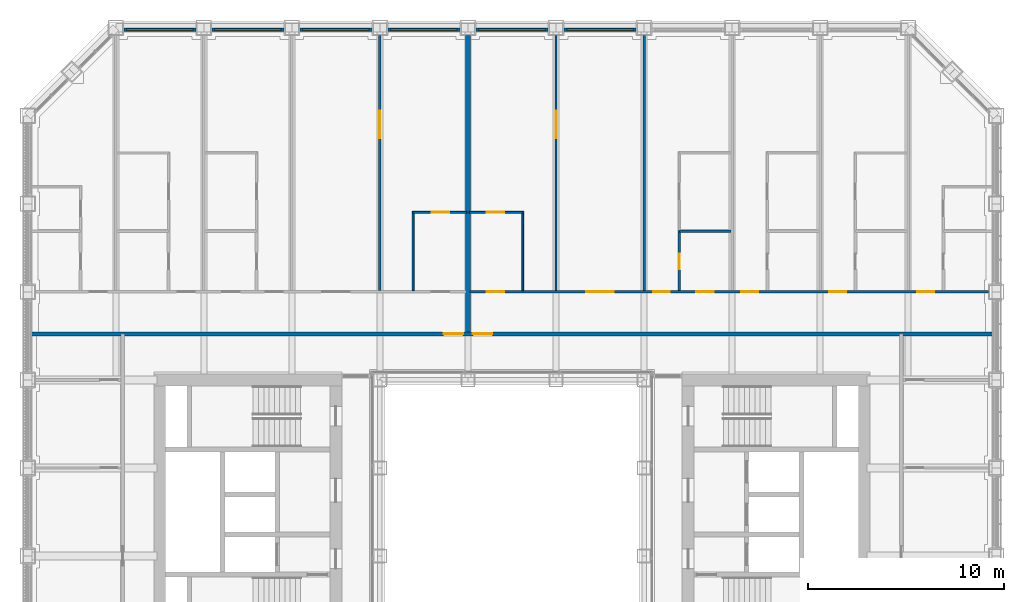
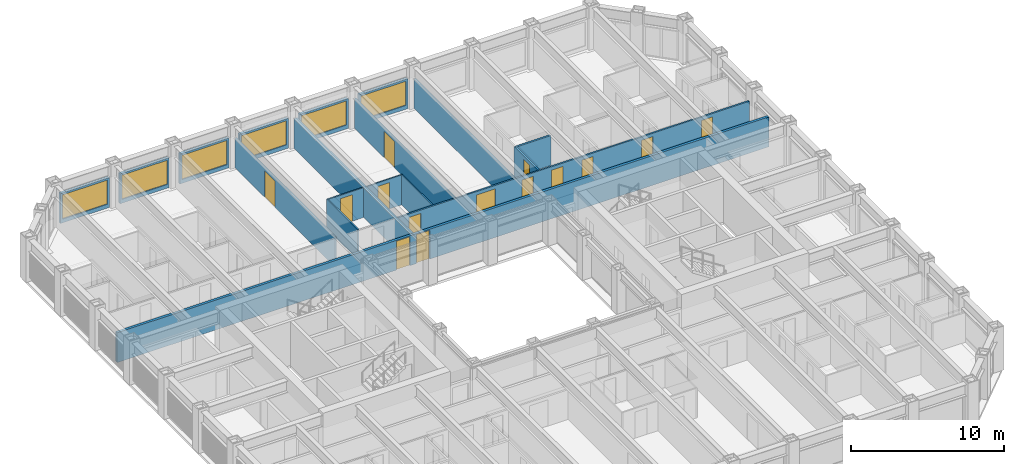
# One storey, part 14 of 21: 18 walls, 14 doors, 6 windows, 20 openings.
"""IFC4 building model written with IfcOpenShell, lengths in metres."""

from ifc_helpers import new_model, si_unit, direction, frame, frame_2d, origin, place, context, subcontext, project, spatial, rectangle, extrude, material, layer, layer_set, type_object, element, fill, save


model = new_model("IFC4")

# Units and contexts
model_context = context("Model", 3, precision=1e-05, world=origin(), true_north=direction((0.0, 1.0)))
body_context = subcontext(model_context, "Body", "Model", "MODEL_VIEW")
ifc_project = project(units=[si_unit("LENGTHUNIT", "METRE"), si_unit("AREAUNIT", "SQUARE_METRE"), si_unit("VOLUMEUNIT", "CUBIC_METRE"), si_unit("PLANEANGLEUNIT", "RADIAN"), si_unit("MASSUNIT", "GRAM", prefix="KILO")], contexts=[model_context])

# Site, building, storey
site_placement = place(None, origin())
site = spatial("IfcSite", under=ifc_project, at=site_placement, CompositionType="ELEMENT")
building_placement = place(site_placement, origin())
building = spatial("IfcBuilding", under=site, at=building_placement, Name="Msasa Ring Tower", CompositionType="ELEMENT")
storey_placement = place(building_placement, frame((0.0, 0.0, 86.0)))
storey = spatial("IfcBuildingStorey", under=building, at=storey_placement, Name="L22", CompositionType="ELEMENT", Elevation=86.0)

# Wall, opening, window
ifc_material_1 = material(Name="Terracotta rainscreen on blockwork", Category="masonry")
ifc_layer_1 = layer(ifc_material_1, 0.199951171875)
ifc_layer_set_1 = layer_set([ifc_layer_1], Name="FW1 TERRACOTTA-LINED INFILL BAY WALL 200")
wall_type_1 = type_object("IfcWallType", Name="FW1 TERRACOTTA-LINED INFILL BAY WALL 200", PredefinedType="SOLIDWALL", material=ifc_layer_set_1)
wall_1_placement = place(storey_placement, frame((-19.844970703125, 24.64990234375, 0.0), z_axis=(0.0, 0.0, 1.0), x_axis=(1.0, 0.0, 0.0)))
wall_1 = element("IfcWall", 1, at=wall_1_placement, inside=storey, type_object=wall_type_1, Name="Infill bay wall N L22 22", PredefinedType="SOLIDWALL", context=body_context, shape_type="SweptSolid", body=[
    extrude(rectangle(XDim=3.68994140625, YDim=0.199951171875, at=frame_2d((1.844970703125, 0.0))), origin(), (0.0, 0.0, 1.0), 2.37890625),
])
opening_1_placement = place(wall_1_placement, frame((0.14501953125, 0.0, 0.300048828125)))
opening_1 = element("IfcOpeningElement", 2, at=opening_1_placement, cuts=wall_1, Name="Opening WN1", PredefinedType="OPENING", context=body_context, shape_type="SweptSolid", body=[
    extrude(rectangle(XDim=3.39990234375, YDim=1.928955078125, at=frame_2d((1.699951171875, 0.96435546875))), frame((0.0, 0.10986328125, 0.0), z_axis=(0.0, -1.0, 0.0), x_axis=(1.0, 0.0, 0.0)), (0.0, 0.0, 1.0), 0.219970703125),
])
ifc_material_2 = material(Name="Aluminium frame with clear glass", Category="aluminium")
window_type = type_object("IfcWindowType", Name="WN1 RESIDENCE WINDOW 3400x1929", PartitioningType="SINGLE_PANEL", PredefinedType="WINDOW", material=ifc_material_2)
window_1_placement = place(opening_1_placement, origin())
window_1 = element("IfcWindow", 3, at=window_1_placement, inside=storey, type_object=window_type, Name="Window N L22 22", OverallHeight=1.928955078125, OverallWidth=3.39990234375, PartitioningType="SINGLE_PANEL", PredefinedType="WINDOW", context=body_context, shape_type="SweptSolid", body=[
    extrude(rectangle(XDim=3.39990234375, YDim=1.928955078125, at=frame_2d((1.699951171875, 0.96435546875))), frame((0.0, 0.030029296875, 0.0), z_axis=(0.0, -1.0, 0.0), x_axis=(1.0, 0.0, 0.0)), (0.0, 0.0, 1.0), 0.06005859375),
])
fill(opening_1, window_1)

wall_2_placement = place(storey_placement, frame((-15.344970703125, 24.64990234375, 0.0), z_axis=(0.0, 0.0, 1.0), x_axis=(1.0, 0.0, 0.0)))
wall_2 = element("IfcWall", 4, at=wall_2_placement, inside=storey, type_object=wall_type_1, Name="Infill bay wall N L22 23", PredefinedType="SOLIDWALL", context=body_context, shape_type="SweptSolid", body=[
    extrude(rectangle(XDim=3.68994140625, YDim=0.199951171875, at=frame_2d((1.844970703125, 0.0))), origin(), (0.0, 0.0, 1.0), 2.37890625),
])
opening_2_placement = place(wall_2_placement, frame((0.14501953125, 0.0, 0.300048828125)))
opening_2 = element("IfcOpeningElement", 5, at=opening_2_placement, cuts=wall_2, Name="Opening WN1", PredefinedType="OPENING", context=body_context, shape_type="SweptSolid", body=[
    extrude(rectangle(XDim=3.39990234375, YDim=1.928955078125, at=frame_2d((1.699951171875, 0.96435546875))), frame((0.0, 0.10986328125, 0.0), z_axis=(0.0, -1.0, 0.0), x_axis=(1.0, 0.0, 0.0)), (0.0, 0.0, 1.0), 0.219970703125),
])
window_2_placement = place(opening_2_placement, origin())
window_2 = element("IfcWindow", 6, at=window_2_placement, inside=storey, type_object=window_type, Name="Window N L22 23", OverallHeight=1.928955078125, OverallWidth=3.39990234375, PartitioningType="SINGLE_PANEL", PredefinedType="WINDOW", context=body_context, shape_type="SweptSolid", body=[
    extrude(rectangle(XDim=3.39990234375, YDim=1.928955078125, at=frame_2d((1.699951171875, 0.96435546875))), frame((0.0, 0.030029296875, 0.0), z_axis=(0.0, -1.0, 0.0), x_axis=(1.0, 0.0, 0.0)), (0.0, 0.0, 1.0), 0.06005859375),
])
fill(opening_2, window_2)

wall_3_placement = place(storey_placement, frame((-10.844970703125, 24.64990234375, 0.0), z_axis=(0.0, 0.0, 1.0), x_axis=(1.0, 0.0, 0.0)))
wall_3 = element("IfcWall", 7, at=wall_3_placement, inside=storey, type_object=wall_type_1, Name="Infill bay wall N L22 24", PredefinedType="SOLIDWALL", context=body_context, shape_type="SweptSolid", body=[
    extrude(rectangle(XDim=3.68994140625, YDim=0.199951171875, at=frame_2d((1.844970703125, 0.0))), origin(), (0.0, 0.0, 1.0), 2.37890625),
])
opening_3_placement = place(wall_3_placement, frame((0.14501953125, 0.0, 0.300048828125)))
opening_3 = element("IfcOpeningElement", 8, at=opening_3_placement, cuts=wall_3, Name="Opening WN1", PredefinedType="OPENING", context=body_context, shape_type="SweptSolid", body=[
    extrude(rectangle(XDim=3.39990234375, YDim=1.928955078125, at=frame_2d((1.699951171875, 0.96435546875))), frame((0.0, 0.10986328125, 0.0), z_axis=(0.0, -1.0, 0.0), x_axis=(1.0, 0.0, 0.0)), (0.0, 0.0, 1.0), 0.219970703125),
])
window_3_placement = place(opening_3_placement, origin())
window_3 = element("IfcWindow", 9, at=window_3_placement, inside=storey, type_object=window_type, Name="Window N L22 24", OverallHeight=1.928955078125, OverallWidth=3.39990234375, PartitioningType="SINGLE_PANEL", PredefinedType="WINDOW", context=body_context, shape_type="SweptSolid", body=[
    extrude(rectangle(XDim=3.39990234375, YDim=1.928955078125, at=frame_2d((1.699951171875, 0.96435546875))), frame((0.0, 0.030029296875, 0.0), z_axis=(0.0, -1.0, 0.0), x_axis=(1.0, 0.0, 0.0)), (0.0, 0.0, 1.0), 0.06005859375),
])
fill(opening_3, window_3)

wall_4_placement = place(storey_placement, frame((-6.344970703125, 24.64990234375, 0.0), z_axis=(0.0, 0.0, 1.0), x_axis=(1.0, 0.0, 0.0)))
wall_4 = element("IfcWall", 10, at=wall_4_placement, inside=storey, type_object=wall_type_1, Name="Infill bay wall N L22 25", PredefinedType="SOLIDWALL", context=body_context, shape_type="SweptSolid", body=[
    extrude(rectangle(XDim=3.68994140625, YDim=0.199951171875, at=frame_2d((1.844970703125, 0.0))), origin(), (0.0, 0.0, 1.0), 2.37890625),
])
opening_4_placement = place(wall_4_placement, frame((0.14501953125, 0.0, 0.300048828125)))
opening_4 = element("IfcOpeningElement", 11, at=opening_4_placement, cuts=wall_4, Name="Opening WN1", PredefinedType="OPENING", context=body_context, shape_type="SweptSolid", body=[
    extrude(rectangle(XDim=3.39990234375, YDim=1.928955078125, at=frame_2d((1.699951171875, 0.96435546875))), frame((0.0, 0.10986328125, 0.0), z_axis=(0.0, -1.0, 0.0), x_axis=(1.0, 0.0, 0.0)), (0.0, 0.0, 1.0), 0.219970703125),
])
window_4_placement = place(opening_4_placement, origin())
window_4 = element("IfcWindow", 12, at=window_4_placement, inside=storey, type_object=window_type, Name="Window N L22 25", OverallHeight=1.928955078125, OverallWidth=3.39990234375, PartitioningType="SINGLE_PANEL", PredefinedType="WINDOW", context=body_context, shape_type="SweptSolid", body=[
    extrude(rectangle(XDim=3.39990234375, YDim=1.928955078125, at=frame_2d((1.699951171875, 0.96435546875))), frame((0.0, 0.030029296875, 0.0), z_axis=(0.0, -1.0, 0.0), x_axis=(1.0, 0.0, 0.0)), (0.0, 0.0, 1.0), 0.06005859375),
])
fill(opening_4, window_4)

wall_5_placement = place(storey_placement, frame((-1.844970703125, 24.64990234375, 0.0), z_axis=(0.0, 0.0, 1.0), x_axis=(1.0, 0.0, 0.0)))
wall_5 = element("IfcWall", 13, at=wall_5_placement, inside=storey, type_object=wall_type_1, Name="Infill bay wall N L22 26", PredefinedType="SOLIDWALL", context=body_context, shape_type="SweptSolid", body=[
    extrude(rectangle(XDim=3.68994140625, YDim=0.199951171875, at=frame_2d((1.844970703125, 0.0))), origin(), (0.0, 0.0, 1.0), 2.37890625),
])
opening_5_placement = place(wall_5_placement, frame((0.14501953125, 0.0, 0.300048828125)))
opening_5 = element("IfcOpeningElement", 14, at=opening_5_placement, cuts=wall_5, Name="Opening WN1", PredefinedType="OPENING", context=body_context, shape_type="SweptSolid", body=[
    extrude(rectangle(XDim=3.39990234375, YDim=1.928955078125, at=frame_2d((1.699951171875, 0.96435546875))), frame((0.0, 0.10986328125, 0.0), z_axis=(0.0, -1.0, 0.0), x_axis=(1.0, 0.0, 0.0)), (0.0, 0.0, 1.0), 0.219970703125),
])
window_5_placement = place(opening_5_placement, origin())
window_5 = element("IfcWindow", 15, at=window_5_placement, inside=storey, type_object=window_type, Name="Window N L22 26", OverallHeight=1.928955078125, OverallWidth=3.39990234375, PartitioningType="SINGLE_PANEL", PredefinedType="WINDOW", context=body_context, shape_type="SweptSolid", body=[
    extrude(rectangle(XDim=3.39990234375, YDim=1.928955078125, at=frame_2d((1.699951171875, 0.96435546875))), frame((0.0, 0.030029296875, 0.0), z_axis=(0.0, -1.0, 0.0), x_axis=(1.0, 0.0, 0.0)), (0.0, 0.0, 1.0), 0.06005859375),
])
fill(opening_5, window_5)

wall_6_placement = place(storey_placement, frame((2.655029296875, 24.64990234375, 0.0), z_axis=(0.0, 0.0, 1.0), x_axis=(1.0, 0.0, 0.0)))
wall_6 = element("IfcWall", 16, at=wall_6_placement, inside=storey, type_object=wall_type_1, Name="Infill bay wall N L22 27", PredefinedType="SOLIDWALL", context=body_context, shape_type="SweptSolid", body=[
    extrude(rectangle(XDim=3.68994140625, YDim=0.199951171875, at=frame_2d((1.844970703125, 0.0))), origin(), (0.0, 0.0, 1.0), 2.37890625),
])
opening_6_placement = place(wall_6_placement, frame((0.14501953125, 0.0, 0.300048828125)))
opening_6 = element("IfcOpeningElement", 17, at=opening_6_placement, cuts=wall_6, Name="Opening WN1", PredefinedType="OPENING", context=body_context, shape_type="SweptSolid", body=[
    extrude(rectangle(XDim=3.39990234375, YDim=1.928955078125, at=frame_2d((1.699951171875, 0.96435546875))), frame((0.0, 0.10986328125, 0.0), z_axis=(0.0, -1.0, 0.0), x_axis=(1.0, 0.0, 0.0)), (0.0, 0.0, 1.0), 0.219970703125),
])
window_6_placement = place(opening_6_placement, origin())
window_6 = element("IfcWindow", 18, at=window_6_placement, inside=storey, type_object=window_type, Name="Window N L22 27", OverallHeight=1.928955078125, OverallWidth=3.39990234375, PartitioningType="SINGLE_PANEL", PredefinedType="WINDOW", context=body_context, shape_type="SweptSolid", body=[
    extrude(rectangle(XDim=3.39990234375, YDim=1.928955078125, at=frame_2d((1.699951171875, 0.96435546875))), frame((0.0, 0.030029296875, 0.0), z_axis=(0.0, -1.0, 0.0), x_axis=(1.0, 0.0, 0.0)), (0.0, 0.0, 1.0), 0.06005859375),
])
fill(opening_6, window_6)

# Wall, openings, doors
ifc_material_3 = material(Name="Concrete blockwork", Category="masonry")
ifc_layer_2 = layer(ifc_material_3, 0.199951171875)
ifc_layer_set_2 = layer_set([ifc_layer_2], Name="PT1 CORRIDOR WALL 200")
wall_type_2 = type_object("IfcWallType", Name="PT1 CORRIDOR WALL 200", PredefinedType="PARTITIONING", material=ifc_layer_set_2)
wall_7_placement = place(storey_placement, frame((-24.550048828125, 9.10009765625, 0.0), z_axis=(0.0, 0.0, 1.0), x_axis=(1.0, 0.0, 0.0)))
wall_7 = element("IfcWall", 19, at=wall_7_placement, inside=storey, type_object=wall_type_2, Name="Corridor wall L22-CORRN0", PredefinedType="PARTITIONING", context=body_context, shape_type="SweptSolid", body=[
    extrude(rectangle(XDim=49.10009765625, YDim=0.199951171875, at=frame_2d((24.550048828125, 0.0))), origin(), (0.0, 0.0, 1.0), 2.373291015625),
])
opening_7_placement = place(wall_7_placement, frame((22.550048828125, 0.0, 0.0)))
opening_7 = element("IfcOpeningElement", 20, at=opening_7_placement, cuts=wall_7, Name="Opening RF-033", PredefinedType="OPENING", context=body_context, shape_type="SweptSolid", body=[
    extrude(rectangle(XDim=1.0, YDim=2.300048828125, at=frame_2d((0.5, 1.14990234375))), frame((0.0, 0.10986328125, 0.0), z_axis=(0.0, -1.0, 0.0), x_axis=(1.0, 0.0, 0.0)), (0.0, 0.0, 1.0), 0.219970703125),
])
opening_8_placement = place(wall_7_placement, frame((21.050048828125, 0.0, 0.0)))
opening_8 = element("IfcOpeningElement", 21, at=opening_8_placement, cuts=wall_7, Name="Opening RF-032", PredefinedType="OPENING", context=body_context, shape_type="SweptSolid", body=[
    extrude(rectangle(XDim=1.0, YDim=2.300048828125, at=frame_2d((0.5, 1.14990234375))), frame((0.0, 0.10986328125, 0.0), z_axis=(0.0, -1.0, 0.0), x_axis=(1.0, 0.0, 0.0)), (0.0, 0.0, 1.0), 0.219970703125),
])
ifc_material_4 = material(Name="Timber door leaf in a steel frame", Category="steel")
door_type_1 = type_object("IfcDoorType", Name="D16 UPPER RESIDENCE ENTRANCE DOOR 1000x2300", OperationType="SINGLE_SWING_LEFT", PredefinedType="DOOR", material=ifc_material_4)
door_1_placement = place(opening_7_placement, origin())
door_1 = element("IfcDoor", 22, at=door_1_placement, inside=storey, type_object=door_type_1, Name="Door L22-VNE", OperationType="SINGLE_SWING_LEFT", OverallHeight=2.300048828125, OverallWidth=1.0, PredefinedType="DOOR", context=body_context, shape_type="SweptSolid", body=[
    extrude(rectangle(XDim=1.0, YDim=2.300048828125, at=frame_2d((0.5, 1.14990234375))), frame((0.0, 0.02490234375, 0.0), z_axis=(0.0, -1.0, 0.0), x_axis=(1.0, 0.0, 0.0)), (0.0, 0.0, 1.0), 0.050048828125),
])
fill(opening_7, door_1)
door_2_placement = place(opening_8_placement, origin())
door_2 = element("IfcDoor", 23, at=door_2_placement, inside=storey, type_object=door_type_1, Name="Door L22-VNW", OperationType="SINGLE_SWING_LEFT", OverallHeight=2.300048828125, OverallWidth=1.0, PredefinedType="DOOR", context=body_context, shape_type="SweptSolid", body=[
    extrude(rectangle(XDim=1.0, YDim=2.300048828125, at=frame_2d((0.5, 1.14990234375))), frame((0.0, 0.02490234375, 0.0), z_axis=(0.0, -1.0, 0.0), x_axis=(1.0, 0.0, 0.0)), (0.0, 0.0, 1.0), 0.050048828125),
])
fill(opening_8, door_2)

# Wall
ifc_material_5 = material(Name="Gypsum board on steel studs", Category="steel")
ifc_layer_3 = layer(ifc_material_5, 0.10009765625)
ifc_layer_set_3 = layer_set([ifc_layer_3], Name="PT2 STUD PARTITION 100")
wall_type_3 = type_object("IfcWallType", Name="PT2 STUD PARTITION 100", PredefinedType="PARTITIONING", material=ifc_layer_set_3)
wall_8_placement = place(storey_placement, frame((0.550048828125, 11.3125, 0.0), z_axis=(0.0, 0.0, 1.0), x_axis=(0.0, 1.0, 0.0)))
element("IfcWall", 24, at=wall_8_placement, inside=storey, type_object=wall_type_3, Name="Partition L22-VNEKX", PredefinedType="PARTITIONING", context=body_context, shape_type="SweptSolid", body=[
    extrude(rectangle(XDim=4.050048828125, YDim=0.10009765625, at=frame_2d((2.02490234375, 0.0))), origin(), (0.0, 0.0, 1.0), 2.373291015625),
])

# Wall, opening, door
wall_9_placement = place(storey_placement, frame((-2.1826171875, 15.3125, 0.0), z_axis=(0.0, 0.0, 1.0), x_axis=(1.0, 0.0, 0.0)))
wall_9 = element("IfcWall", 25, at=wall_9_placement, inside=storey, type_object=wall_type_3, Name="Partition L22-VNEKY", PredefinedType="PARTITIONING", context=body_context, shape_type="SweptSolid", body=[
    extrude(rectangle(XDim=2.732666015625, YDim=0.10009765625, at=frame_2d((1.3662109375, 0.0))), origin(), (0.0, 0.0, 1.0), 2.373291015625),
])
opening_9_placement = place(wall_9_placement, frame((0.882568359375, 0.0, 0.0)))
opening_9 = element("IfcOpeningElement", 26, at=opening_9_placement, cuts=wall_9, Name="Opening RF-011", PredefinedType="OPENING", context=body_context, shape_type="SweptSolid", body=[
    extrude(rectangle(XDim=0.89990234375, YDim=2.10009765625, at=frame_2d((0.449951171875, 1.050048828125))), frame((0.0, 0.06005859375, 0.0), z_axis=(0.0, -1.0, 0.0), x_axis=(1.0, 0.0, 0.0)), (0.0, 0.0, 1.0), 0.1201171875),
])
ifc_material_6 = material(Name="Timber door leaf in a steel frame", Category="steel")
door_type_2 = type_object("IfcDoorType", Name="D22 INTERNAL HALL DOOR 900x2100", OperationType="SINGLE_SWING_LEFT", PredefinedType="DOOR", material=ifc_material_6)
door_3_placement = place(opening_9_placement, origin())
door_3 = element("IfcDoor", 27, at=door_3_placement, inside=storey, type_object=door_type_2, Name="Door L22-VNEKD", OperationType="SINGLE_SWING_LEFT", OverallHeight=2.10009765625, OverallWidth=0.89990234375, PredefinedType="DOOR", context=body_context, shape_type="SweptSolid", body=[
    extrude(rectangle(XDim=0.89990234375, YDim=2.10009765625, at=frame_2d((0.449951171875, 1.050048828125))), frame((0.0, 0.02490234375, 0.0), z_axis=(0.0, -1.0, 0.0), x_axis=(1.0, 0.0, 0.0)), (0.0, 0.0, 1.0), 0.050048828125),
])
fill(opening_9, door_3)

# Wall
wall_10_placement = place(storey_placement, frame((-5.050048828125, 11.3125, 0.0), z_axis=(0.0, 0.0, 1.0), x_axis=(0.0, 1.0, 0.0)))
element("IfcWall", 28, at=wall_10_placement, inside=storey, type_object=wall_type_3, Name="Partition L22-VNWKX", PredefinedType="PARTITIONING", context=body_context, shape_type="SweptSolid", body=[
    extrude(rectangle(XDim=4.050048828125, YDim=0.10009765625, at=frame_2d((2.02490234375, 0.0))), origin(), (0.0, 0.0, 1.0), 2.373291015625),
])

# Wall, opening, door
wall_11_placement = place(storey_placement, frame((-5.050048828125, 15.3125, 0.0), z_axis=(0.0, 0.0, 1.0), x_axis=(1.0, 0.0, 0.0)))
wall_11 = element("IfcWall", 29, at=wall_11_placement, inside=storey, type_object=wall_type_3, Name="Partition L22-VNWKY", PredefinedType="PARTITIONING", context=body_context, shape_type="SweptSolid", body=[
    extrude(rectangle(XDim=2.732666015625, YDim=0.10009765625, at=frame_2d((1.3662109375, 0.0))), origin(), (0.0, 0.0, 1.0), 2.373291015625),
])
opening_10_placement = place(wall_11_placement, frame((0.949951171875, 0.0, 0.0)))
opening_10 = element("IfcOpeningElement", 30, at=opening_10_placement, cuts=wall_11, Name="Opening RF-010", PredefinedType="OPENING", context=body_context, shape_type="SweptSolid", body=[
    extrude(rectangle(XDim=0.89990234375, YDim=2.10009765625, at=frame_2d((0.449951171875, 1.050048828125))), frame((0.0, 0.06005859375, 0.0), z_axis=(0.0, -1.0, 0.0), x_axis=(1.0, 0.0, 0.0)), (0.0, 0.0, 1.0), 0.1201171875),
])
door_4_placement = place(opening_10_placement, origin())
door_4 = element("IfcDoor", 31, at=door_4_placement, inside=storey, type_object=door_type_2, Name="Door L22-VNWKD", OperationType="SINGLE_SWING_RIGHT", OverallHeight=2.10009765625, OverallWidth=0.89990234375, PredefinedType="DOOR", context=body_context, shape_type="SweptSolid", body=[
    extrude(rectangle(XDim=0.89990234375, YDim=2.10009765625, at=frame_2d((0.449951171875, 1.050048828125))), frame((0.0, 0.02490234375, 0.0), z_axis=(0.0, -1.0, 0.0), x_axis=(1.0, 0.0, 0.0)), (0.0, 0.0, 1.0), 0.050048828125),
])
fill(opening_10, door_4)

# Wall
ifc_material_7 = material(Name="Dense concrete blockwork, plastered both faces", Category="masonry")
ifc_layer_4 = layer(ifc_material_7, 0.25)
ifc_layer_set_4 = layer_set([ifc_layer_4], Name="PT3 APARTMENT SEPARATING WALL 250")
wall_type_4 = type_object("IfcWallType", Name="PT3 APARTMENT SEPARATING WALL 250", PredefinedType="PARTITIONING", material=ifc_layer_set_4)
wall_12_placement = place(storey_placement, frame((-2.25, 9.199951171875, 0.0), z_axis=(0.0, 0.0, 1.0), x_axis=(0.0, 1.0, 0.0)))
element("IfcWall", 32, at=wall_12_placement, inside=storey, type_object=wall_type_4, Name="Party wall L22-PWN-2.25", PredefinedType="PARTITIONING", context=body_context, shape_type="SweptSolid", body=[
    extrude(rectangle(XDim=15.150146484375, YDim=0.25, at=frame_2d((7.5751953125, 0.0))), origin(), (0.0, 0.0, 1.0), 2.373291015625),
])

# Wall, opening, door
ifc_material_8 = material(Name="Moisture-resistant board on steel studs with a concealed cistern and pipe void, tiled", Category="steel")
ifc_layer_5 = layer(ifc_material_8, 0.14990234375)
ifc_layer_set_5 = layer_set([ifc_layer_5], Name="PT4 BATHROOM WET WALL 150")
wall_type_5 = type_object("IfcWallType", Name="PT4 BATHROOM WET WALL 150", PredefinedType="PARTITIONING", material=ifc_layer_set_5)
wall_13_placement = place(storey_placement, frame((8.550048828125, 11.3125, 0.0), z_axis=(0.0, 0.0, 1.0), x_axis=(0.0, 1.0, 0.0)))
wall_13 = element("IfcWall", 33, at=wall_13_placement, inside=storey, type_object=wall_type_5, Name="Partition L22-VNEBX1", PredefinedType="PARTITIONING", context=body_context, shape_type="SweptSolid", body=[
    extrude(rectangle(XDim=3.08740234375, YDim=0.14990234375, at=frame_2d((1.543701171875, 0.0))), origin(), (0.0, 0.0, 1.0), 2.373291015625),
])
opening_11_placement = place(wall_13_placement, frame((1.08740234375, 0.0, 0.0)))
opening_11 = element("IfcOpeningElement", 34, at=opening_11_placement, cuts=wall_13, Name="Opening RF-015", PredefinedType="OPENING", context=body_context, shape_type="SweptSolid", body=[
    extrude(rectangle(XDim=0.800048828125, YDim=2.10009765625, at=frame_2d((0.39990234375, 1.050048828125))), frame((0.0, 0.0849609375, 0.0), z_axis=(0.0, -1.0, 0.0), x_axis=(1.0, 0.0, 0.0)), (0.0, 0.0, 1.0), 0.169921875),
])
ifc_material_9 = material(Name="Timber door leaf in a steel frame", Category="steel")
door_type_3 = type_object("IfcDoorType", Name="D21 POCKET SLIDING BATHROOM DOOR 800x2100", OperationType="SINGLE_SWING_LEFT", PredefinedType="DOOR", material=ifc_material_9)
door_5_placement = place(opening_11_placement, origin())
door_5 = element("IfcDoor", 35, at=door_5_placement, inside=storey, type_object=door_type_3, Name="Door L22-VNEB1", OperationType="SINGLE_SWING_LEFT", OverallHeight=2.10009765625, OverallWidth=0.800048828125, PredefinedType="DOOR", context=body_context, shape_type="SweptSolid", body=[
    extrude(rectangle(XDim=0.800048828125, YDim=2.10009765625, at=frame_2d((0.39990234375, 1.050048828125))), frame((0.0, 0.02490234375, 0.0), z_axis=(0.0, -1.0, 0.0), x_axis=(1.0, 0.0, 0.0)), (0.0, 0.0, 1.0), 0.050048828125),
])
fill(opening_11, door_5)

# Wall
wall_14_placement = place(storey_placement, frame((8.550048828125, 14.35009765625, 0.0), z_axis=(0.0, 0.0, 1.0), x_axis=(1.0, 0.0, 0.0)))
element("IfcWall", 36, at=wall_14_placement, inside=storey, type_object=wall_type_5, Name="Partition L22-VNEBY1", PredefinedType="PARTITIONING", context=body_context, shape_type="SweptSolid", body=[
    extrude(rectangle(XDim=2.639892578125, YDim=0.14990234375, at=frame_2d((1.31982421875, 0.0))), origin(), (0.0, 0.0, 1.0), 2.373291015625),
])

# Wall, openings, doors
ifc_material_10 = material(Name="Two layers of acoustic board each face on steel studs, mineral wool", Category="steel")
ifc_layer_6 = layer(ifc_material_10, 0.125)
ifc_layer_set_6 = layer_set([ifc_layer_6], Name="PT6 ACOUSTIC DOUBLE-BOARD PARTITION 125")
wall_type_6 = type_object("IfcWallType", Name="PT6 ACOUSTIC DOUBLE-BOARD PARTITION 125", PredefinedType="PARTITIONING", material=ifc_layer_set_6)
wall_15_placement = place(storey_placement, frame((-2.14990234375, 11.25, 0.0), z_axis=(0.0, 0.0, 1.0), x_axis=(1.0, 0.0, 0.0)))
wall_15 = element("IfcWall", 37, at=wall_15_placement, inside=storey, type_object=wall_type_6, Name="Partition L22-VNEHY", PredefinedType="PARTITIONING", context=body_context, shape_type="SweptSolid", body=[
    extrude(rectangle(XDim=26.5, YDim=0.125, at=frame_2d((13.25, 0.0))), origin(), (0.0, 0.0, 1.0), 2.373291015625),
])
opening_12_placement = place(wall_15_placement, frame((0.85009765625, 0.0, 0.0)))
opening_12 = element("IfcOpeningElement", 38, at=opening_12_placement, cuts=wall_15, Name="Opening RF-025", PredefinedType="OPENING", context=body_context, shape_type="SweptSolid", body=[
    extrude(rectangle(XDim=0.89990234375, YDim=2.10009765625, at=frame_2d((0.449951171875, 1.050048828125))), frame((0.0, 0.072509765625, 0.0), z_axis=(0.0, -1.0, 0.0), x_axis=(1.0, 0.0, 0.0)), (0.0, 0.0, 1.0), 0.14501953125),
])
opening_13_placement = place(wall_15_placement, frame((5.949951171875, 0.0, 0.0)))
opening_13 = element("IfcOpeningElement", 39, at=opening_13_placement, cuts=wall_15, Name="Opening RF-026", PredefinedType="OPENING", context=body_context, shape_type="SweptSolid", body=[
    extrude(rectangle(XDim=1.39990234375, YDim=2.10009765625, at=frame_2d((0.699951171875, 1.050048828125))), frame((0.0, 0.072509765625, 0.0), z_axis=(0.0, -1.0, 0.0), x_axis=(1.0, 0.0, 0.0)), (0.0, 0.0, 1.0), 0.14501953125),
])
opening_14_placement = place(wall_15_placement, frame((9.375, 0.0, 0.0)))
opening_14 = element("IfcOpeningElement", 40, at=opening_14_placement, cuts=wall_15, Name="Opening RF-027", PredefinedType="OPENING", context=body_context, shape_type="SweptSolid", body=[
    extrude(rectangle(XDim=0.85009765625, YDim=2.10009765625, at=frame_2d((0.425048828125, 1.050048828125))), frame((0.0, 0.072509765625, 0.0), z_axis=(0.0, -1.0, 0.0), x_axis=(1.0, 0.0, 0.0)), (0.0, 0.0, 1.0), 0.14501953125),
])
opening_15_placement = place(wall_15_placement, frame((11.570068359375, 0.0, 0.0)))
opening_15 = element("IfcOpeningElement", 41, at=opening_15_placement, cuts=wall_15, Name="Opening RF-028", PredefinedType="OPENING", context=body_context, shape_type="SweptSolid", body=[
    extrude(rectangle(XDim=0.89990234375, YDim=2.10009765625, at=frame_2d((0.449951171875, 1.050048828125))), frame((0.0, 0.072509765625, 0.0), z_axis=(0.0, -1.0, 0.0), x_axis=(1.0, 0.0, 0.0)), (0.0, 0.0, 1.0), 0.14501953125),
])
opening_16_placement = place(wall_15_placement, frame((13.875, 0.0, 0.0)))
opening_16 = element("IfcOpeningElement", 42, at=opening_16_placement, cuts=wall_15, Name="Opening RF-029", PredefinedType="OPENING", context=body_context, shape_type="SweptSolid", body=[
    extrude(rectangle(XDim=0.85009765625, YDim=2.10009765625, at=frame_2d((0.425048828125, 1.050048828125))), frame((0.0, 0.072509765625, 0.0), z_axis=(0.0, -1.0, 0.0), x_axis=(1.0, 0.0, 0.0)), (0.0, 0.0, 1.0), 0.14501953125),
])
opening_17_placement = place(wall_15_placement, frame((18.375, 0.0, 0.0)))
opening_17 = element("IfcOpeningElement", 43, at=opening_17_placement, cuts=wall_15, Name="Opening RF-030", PredefinedType="OPENING", context=body_context, shape_type="SweptSolid", body=[
    extrude(rectangle(XDim=0.85009765625, YDim=2.10009765625, at=frame_2d((0.425048828125, 1.050048828125))), frame((0.0, 0.072509765625, 0.0), z_axis=(0.0, -1.0, 0.0), x_axis=(1.0, 0.0, 0.0)), (0.0, 0.0, 1.0), 0.14501953125),
])
opening_18_placement = place(wall_15_placement, frame((22.875, 0.0, 0.0)))
opening_18 = element("IfcOpeningElement", 44, at=opening_18_placement, cuts=wall_15, Name="Opening RF-031", PredefinedType="OPENING", context=body_context, shape_type="SweptSolid", body=[
    extrude(rectangle(XDim=0.85009765625, YDim=2.10009765625, at=frame_2d((0.425048828125, 1.050048828125))), frame((0.0, 0.072509765625, 0.0), z_axis=(0.0, -1.0, 0.0), x_axis=(1.0, 0.0, 0.0)), (0.0, 0.0, 1.0), 0.14501953125),
])
ifc_material_11 = material(Name="Timber door leaf in a steel frame", Category="steel")
door_type_4 = type_object("IfcDoorType", Name="D14 BEDROOM DOOR 850x2100", OperationType="SINGLE_SWING_LEFT", PredefinedType="DOOR", material=ifc_material_11)
door_6_placement = place(opening_14_placement, origin())
door_6 = element("IfcDoor", 45, at=door_6_placement, inside=storey, type_object=door_type_4, Name="Door L22-VNER1", OperationType="SINGLE_SWING_LEFT", OverallHeight=2.10009765625, OverallWidth=0.85009765625, PredefinedType="DOOR", context=body_context, shape_type="SweptSolid", body=[
    extrude(rectangle(XDim=0.85009765625, YDim=2.10009765625, at=frame_2d((0.425048828125, 1.050048828125))), frame((0.0, 0.02490234375, 0.0), z_axis=(0.0, -1.0, 0.0), x_axis=(1.0, 0.0, 0.0)), (0.0, 0.0, 1.0), 0.050048828125),
])
fill(opening_14, door_6)
door_7_placement = place(opening_16_placement, origin())
door_7 = element("IfcDoor", 46, at=door_7_placement, inside=storey, type_object=door_type_4, Name="Door L22-VNER2", OperationType="SINGLE_SWING_RIGHT", OverallHeight=2.10009765625, OverallWidth=0.85009765625, PredefinedType="DOOR", context=body_context, shape_type="SweptSolid", body=[
    extrude(rectangle(XDim=0.85009765625, YDim=2.10009765625, at=frame_2d((0.425048828125, 1.050048828125))), frame((0.0, 0.02490234375, 0.0), z_axis=(0.0, -1.0, 0.0), x_axis=(1.0, 0.0, 0.0)), (0.0, 0.0, 1.0), 0.050048828125),
])
fill(opening_16, door_7)
door_8_placement = place(opening_17_placement, origin())
door_8 = element("IfcDoor", 47, at=door_8_placement, inside=storey, type_object=door_type_4, Name="Door L22-VNER3", OperationType="SINGLE_SWING_RIGHT", OverallHeight=2.10009765625, OverallWidth=0.85009765625, PredefinedType="DOOR", context=body_context, shape_type="SweptSolid", body=[
    extrude(rectangle(XDim=0.85009765625, YDim=2.10009765625, at=frame_2d((0.425048828125, 1.050048828125))), frame((0.0, 0.02490234375, 0.0), z_axis=(0.0, -1.0, 0.0), x_axis=(1.0, 0.0, 0.0)), (0.0, 0.0, 1.0), 0.050048828125),
])
fill(opening_17, door_8)
door_9_placement = place(opening_18_placement, origin())
door_9 = element("IfcDoor", 48, at=door_9_placement, inside=storey, type_object=door_type_4, Name="Door L22-VNER4", OperationType="SINGLE_SWING_RIGHT", OverallHeight=2.10009765625, OverallWidth=0.85009765625, PredefinedType="DOOR", context=body_context, shape_type="SweptSolid", body=[
    extrude(rectangle(XDim=0.85009765625, YDim=2.10009765625, at=frame_2d((0.425048828125, 1.050048828125))), frame((0.0, 0.02490234375, 0.0), z_axis=(0.0, -1.0, 0.0), x_axis=(1.0, 0.0, 0.0)), (0.0, 0.0, 1.0), 0.050048828125),
])
fill(opening_18, door_9)
ifc_material_12 = material(Name="Timber door leaf in a steel frame", Category="steel")
door_type_5 = type_object("IfcDoorType", Name="D15 LIVING ROOM PAIR OF GLAZED DOORS 1400x2100", OperationType="SINGLE_SWING_LEFT", PredefinedType="DOOR", material=ifc_material_12)
door_10_placement = place(opening_13_placement, origin())
door_10 = element("IfcDoor", 49, at=door_10_placement, inside=storey, type_object=door_type_5, Name="Door L22-VNEL", OperationType="SINGLE_SWING_LEFT", OverallHeight=2.10009765625, OverallWidth=1.39990234375, PredefinedType="DOOR", context=body_context, shape_type="SweptSolid", body=[
    extrude(rectangle(XDim=1.39990234375, YDim=2.10009765625, at=frame_2d((0.699951171875, 1.050048828125))), frame((0.0, 0.02490234375, 0.0), z_axis=(0.0, -1.0, 0.0), x_axis=(1.0, 0.0, 0.0)), (0.0, 0.0, 1.0), 0.050048828125),
])
fill(opening_13, door_10)
door_11_placement = place(opening_12_placement, origin())
door_11 = element("IfcDoor", 50, at=door_11_placement, inside=storey, type_object=door_type_2, Name="Door L22-VNEK", OperationType="SINGLE_SWING_LEFT", OverallHeight=2.10009765625, OverallWidth=0.89990234375, PredefinedType="DOOR", context=body_context, shape_type="SweptSolid", body=[
    extrude(rectangle(XDim=0.89990234375, YDim=2.10009765625, at=frame_2d((0.449951171875, 1.050048828125))), frame((0.0, 0.02490234375, 0.0), z_axis=(0.0, -1.0, 0.0), x_axis=(1.0, 0.0, 0.0)), (0.0, 0.0, 1.0), 0.050048828125),
])
fill(opening_12, door_11)
ifc_material_13 = material(Name="Timber door leaf in a steel frame", Category="steel")
door_type_6 = type_object("IfcDoorType", Name="D3 BATHROOM DOOR 900x2100", OperationType="SINGLE_SWING_LEFT", PredefinedType="DOOR", material=ifc_material_13)
door_12_placement = place(opening_15_placement, origin())
door_12 = element("IfcDoor", 51, at=door_12_placement, inside=storey, type_object=door_type_6, Name="Door L22-VNEBH1", OperationType="SINGLE_SWING_LEFT", OverallHeight=2.10009765625, OverallWidth=0.89990234375, PredefinedType="DOOR", context=body_context, shape_type="SweptSolid", body=[
    extrude(rectangle(XDim=0.89990234375, YDim=2.10009765625, at=frame_2d((0.449951171875, 1.050048828125))), frame((0.0, 0.02490234375, 0.0), z_axis=(0.0, -1.0, 0.0), x_axis=(1.0, 0.0, 0.0)), (0.0, 0.0, 1.0), 0.050048828125),
])
fill(opening_15, door_12)

# Wall, opening, door
wall_16_placement = place(storey_placement, frame((2.25, 11.3125, 0.0), z_axis=(0.0, 0.0, 1.0), x_axis=(0.0, 1.0, 0.0)))
wall_16 = element("IfcWall", 52, at=wall_16_placement, inside=storey, type_object=wall_type_6, Name="Partition L22-VNELM", PredefinedType="PARTITIONING", context=body_context, shape_type="SweptSolid", body=[
    extrude(rectangle(XDim=13.03759765625, YDim=0.125, at=frame_2d((6.518798828125, 0.0))), origin(), (0.0, 0.0, 1.0), 2.373291015625),
])
opening_19_placement = place(wall_16_placement, frame((7.793701171875, 0.0, 0.0)))
opening_19 = element("IfcOpeningElement", 53, at=opening_19_placement, cuts=wall_16, Name="Opening RF-002", PredefinedType="OPENING", context=body_context, shape_type="SweptSolid", body=[
    extrude(rectangle(XDim=1.39990234375, YDim=2.10009765625, at=frame_2d((0.699951171875, 1.050048828125))), frame((0.0, 0.072509765625, 0.0), z_axis=(0.0, -1.0, 0.0), x_axis=(1.0, 0.0, 0.0)), (0.0, 0.0, 1.0), 0.14501953125),
])
door_13_placement = place(opening_19_placement, origin())
door_13 = element("IfcDoor", 54, at=door_13_placement, inside=storey, type_object=door_type_5, Name="Door L22-VNELD", OperationType="SINGLE_SWING_RIGHT", OverallHeight=2.10009765625, OverallWidth=1.39990234375, PredefinedType="DOOR", context=body_context, shape_type="SweptSolid", body=[
    extrude(rectangle(XDim=1.39990234375, YDim=2.10009765625, at=frame_2d((0.699951171875, 1.050048828125))), frame((0.0, 0.02490234375, 0.0), z_axis=(0.0, -1.0, 0.0), x_axis=(1.0, 0.0, 0.0)), (0.0, 0.0, 1.0), 0.050048828125),
])
fill(opening_19, door_13)

# Wall
wall_17_placement = place(storey_placement, frame((6.75, 11.3125, 0.0), z_axis=(0.0, 0.0, 1.0), x_axis=(0.0, 1.0, 0.0)))
element("IfcWall", 55, at=wall_17_placement, inside=storey, type_object=wall_type_6, Name="Partition L22-VNEP1", PredefinedType="PARTITIONING", context=body_context, shape_type="SweptSolid", body=[
    extrude(rectangle(XDim=13.03759765625, YDim=0.125, at=frame_2d((6.518798828125, 0.0))), origin(), (0.0, 0.0, 1.0), 2.373291015625),
])

# Wall, opening, door
wall_18_placement = place(storey_placement, frame((-6.75, 11.3125, 0.0), z_axis=(0.0, 0.0, 1.0), x_axis=(0.0, 1.0, 0.0)))
wall_18 = element("IfcWall", 56, at=wall_18_placement, inside=storey, type_object=wall_type_6, Name="Partition L22-VNWLM", PredefinedType="PARTITIONING", context=body_context, shape_type="SweptSolid", body=[
    extrude(rectangle(XDim=13.03759765625, YDim=0.125, at=frame_2d((6.518798828125, 0.0))), origin(), (0.0, 0.0, 1.0), 2.373291015625),
])
opening_20_placement = place(wall_18_placement, frame((7.793701171875, 0.0, 0.0)))
opening_20 = element("IfcOpeningElement", 57, at=opening_20_placement, cuts=wall_18, Name="Opening RF-001", PredefinedType="OPENING", context=body_context, shape_type="SweptSolid", body=[
    extrude(rectangle(XDim=1.39990234375, YDim=2.10009765625, at=frame_2d((0.699951171875, 1.050048828125))), frame((0.0, 0.072509765625, 0.0), z_axis=(0.0, -1.0, 0.0), x_axis=(1.0, 0.0, 0.0)), (0.0, 0.0, 1.0), 0.14501953125),
])
door_14_placement = place(opening_20_placement, origin())
door_14 = element("IfcDoor", 58, at=door_14_placement, inside=storey, type_object=door_type_5, Name="Door L22-VNWLD", OperationType="SINGLE_SWING_RIGHT", OverallHeight=2.10009765625, OverallWidth=1.39990234375, PredefinedType="DOOR", context=body_context, shape_type="SweptSolid", body=[
    extrude(rectangle(XDim=1.39990234375, YDim=2.10009765625, at=frame_2d((0.699951171875, 1.050048828125))), frame((0.0, 0.02490234375, 0.0), z_axis=(0.0, -1.0, 0.0), x_axis=(1.0, 0.0, 0.0)), (0.0, 0.0, 1.0), 0.050048828125),
])
fill(opening_20, door_14)

save(model, "model.ifc")
